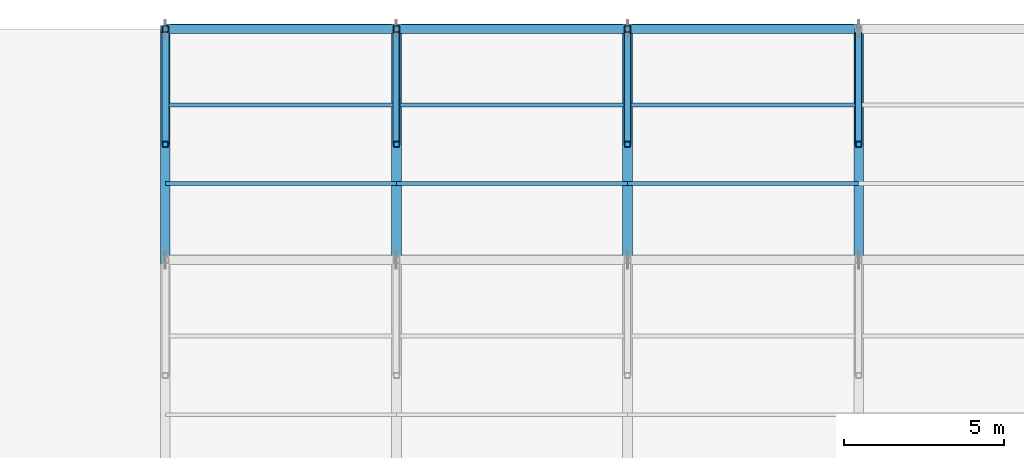
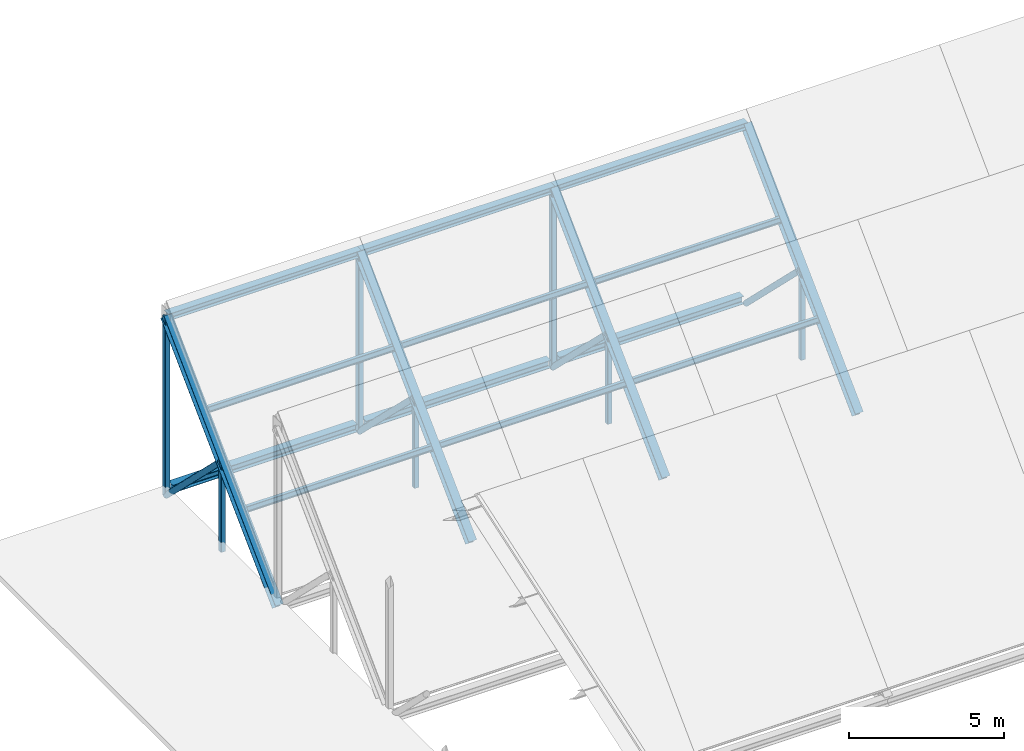
# One storey, part 3 of 7: 15 members, 12 beams.
"""IFC4 building model written with IfcOpenShell, lengths in metres."""

from ifc_helpers import new_model, si_unit, direction, frame, origin, origin_2d, place, context, subcontext, project, spatial, hollow_rectangle, hollow_circle, i_section, extrude, material, material_profile, profile_set, type_object, element, save


model = new_model("IFC4")

# Units and contexts
model_context = context("Model", 3, precision=1e-05, world=origin(), true_north=direction((0.0, 1.0)))
body_context = subcontext(model_context, "Body", "Model", "MODEL_VIEW")
ifc_project = project(units=[si_unit("LENGTHUNIT", "METRE"), si_unit("AREAUNIT", "SQUARE_METRE"), si_unit("VOLUMEUNIT", "CUBIC_METRE"), si_unit("PLANEANGLEUNIT", "RADIAN"), si_unit("MASSUNIT", "GRAM", prefix="KILO")], contexts=[model_context])

# Site, building, storey
site_placement = place(None, origin())
site = spatial("IfcSite", under=ifc_project, at=site_placement, CompositionType="ELEMENT")
building_placement = place(site_placement, origin())
building = spatial("IfcBuilding", under=site, at=building_placement, Name="Zlatovets Crest Museum", CompositionType="ELEMENT")
storey_placement = place(building_placement, frame((0.0, 0.0, 30.60009765625)))
storey = spatial("IfcBuildingStorey", under=building, at=storey_placement, Name="Roof", CompositionType="ELEMENT", Elevation=30.60009765625)

# Beams
ifc_material = material(Name="Structural steel S355J2", Category="steel")
ifc_material_profile_1 = material_profile(ifc_material, i_section(OverallWidth=0.300048828125, OverallDepth=0.31005859375, WebThickness=0.009033203125, FlangeThickness=0.015380859375, FilletRadius=0.027099609375, at=origin_2d()), Name="HEA 320")
ifc_profile_set_1 = profile_set([ifc_material_profile_1], Name="Structural steel S355J2")
beam_type_1 = type_object("IfcBeamType", Name="Beam_B-04", PredefinedType="BEAM", material=ifc_profile_set_1)
for number, where, z_axis, x_axis, name in (
    (1, (64.9599609375, 115.199951171875, -0.135009765625), (1.0, 0.0, 0.0), (0.0, 1.0, 0.0), "V1 Sawtooth Tooth 3 Valley / Clerestory Sill Girder"),
    (2, (72.159912109375, 115.199951171875, -0.135009765625), (1.0, 0.0, 0.0), (0.0, 1.0, 0.0), "V1 Sawtooth Tooth 3 Valley / Clerestory Sill Girder"),
):
    element("IfcBeam", number, at=place(storey_placement, frame(where, z_axis=z_axis, x_axis=x_axis)), inside=storey, type_object=beam_type_1, Name=name, PredefinedType="BEAM", context=body_context, shape_type="SweptSolid", body=[
        extrude(i_section(OverallWidth=0.300048828125, OverallDepth=0.31005859375, WebThickness=0.009033203125, FlangeThickness=0.015380859375, FilletRadius=0.027099609375, at=origin_2d()), origin(), (0.0, 0.0, 1.0), 6.880126953125),
    ])
beam_placement = place(storey_placement, frame((79.360107421875, 115.199951171875, -0.135009765625), z_axis=(1.0, 0.0, 0.0), x_axis=(0.0, 1.0, 0.0)))
element("IfcBeam", 3, at=beam_placement, inside=storey, type_object=beam_type_1, Name="V1 Sawtooth Tooth 3 Valley / Clerestory Sill Girder", PredefinedType="BEAM", context=body_context, shape_type="SweptSolid", body=[
    extrude(i_section(OverallWidth=0.300048828125, OverallDepth=0.31005859375, WebThickness=0.009033203125, FlangeThickness=0.015380859375, FilletRadius=0.027099609375, at=origin_2d()), origin(), (0.0, 0.0, 1.0), 6.8798828125),
])
ifc_material_profile_2 = material_profile(ifc_material, i_section(OverallWidth=0.280029296875, OverallDepth=0.27001953125, WebThickness=0.008056640625, FlangeThickness=0.012939453125, FilletRadius=0.02392578125, at=origin_2d()), Name="HEA 280")
ifc_profile_set_2 = profile_set([ifc_material_profile_2], Name="Structural steel S355J2")
beam_type_2 = type_object("IfcBeamType", Name="Beam_B-05", PredefinedType="BEAM", material=ifc_profile_set_2)
for number, where, z_axis, x_axis, name in (
    (4, (64.800048828125, 115.199951171875, 6.668701171875), (1.0, 0.0, 0.0), (0.0, 1.0, 0.0), "V1 Sawtooth Tooth 3 Ridge Girder"),
    (5, (72.0, 115.199951171875, 6.668701171875), (1.0, 0.0, 0.0), (0.0, 1.0, 0.0), "V1 Sawtooth Tooth 3 Ridge Girder"),
    (6, (79.199951171875, 115.199951171875, 6.668701171875), (1.0, 0.0, 0.0), (0.0, 1.0, 0.0), "V1 Sawtooth Tooth 3 Ridge Girder"),
):
    element("IfcBeam", number, at=place(storey_placement, frame(where, z_axis=z_axis, x_axis=x_axis)), inside=storey, type_object=beam_type_2, Name=name, PredefinedType="BEAM", context=body_context, shape_type="SweptSolid", body=[
        extrude(i_section(OverallWidth=0.280029296875, OverallDepth=0.27001953125, WebThickness=0.008056640625, FlangeThickness=0.012939453125, FilletRadius=0.02392578125, at=origin_2d()), origin(), (0.0, 0.0, 1.0), 7.199951171875),
    ])
ifc_material_profile_3 = material_profile(ifc_material, i_section(OverallWidth=0.1201171875, OverallDepth=0.239990234375, WebThickness=0.006103515625, FlangeThickness=0.009765625, FilletRadius=0.014892578125, at=origin_2d()), Name="IPE 240")
ifc_profile_set_3 = profile_set([ifc_material_profile_3], Name="Structural steel S355J2")
beam_type_3 = type_object("IfcBeamType", Name="Beam_PR-01", PredefinedType="BEAM", material=ifc_profile_set_3)
for number, where, z_axis, x_axis, name in (
    (7, (64.800048828125, 110.3759765625, 1.919921875), (1.0, 0.0, 0.0), (0.0, 1.0, 0.0), "V1 Sawtooth Tooth 3 Purlin PR-01"),
    (8, (64.800048828125, 112.823974609375, 4.367919921875), (1.0, 0.0, 0.0), (0.0, 1.0, 0.0), "V1 Sawtooth Tooth 3 Purlin PR-01"),
    (9, (72.0, 110.3759765625, 1.919921875), (1.0, 0.0, 0.0), (0.0, 1.0, 0.0), "V1 Sawtooth Tooth 3 Purlin PR-01"),
    (10, (72.0, 112.823974609375, 4.367919921875), (1.0, 0.0, 0.0), (0.0, 1.0, 0.0), "V1 Sawtooth Tooth 3 Purlin PR-01"),
    (11, (79.199951171875, 110.3759765625, 1.919921875), (1.0, 0.0, 0.0), (0.0, 1.0, 0.0), "V1 Sawtooth Tooth 3 Purlin PR-01"),
    (12, (79.199951171875, 112.823974609375, 4.367919921875), (1.0, 0.0, 0.0), (0.0, 1.0, 0.0), "V1 Sawtooth Tooth 3 Purlin PR-01"),
):
    element("IfcBeam", number, at=place(storey_placement, frame(where, z_axis=z_axis, x_axis=x_axis)), inside=storey, type_object=beam_type_3, Name=name, PredefinedType="BEAM", context=body_context, shape_type="SweptSolid", body=[
        extrude(i_section(OverallWidth=0.1201171875, OverallDepth=0.239990234375, WebThickness=0.006103515625, FlangeThickness=0.009765625, FilletRadius=0.014892578125, at=origin_2d()), origin(), (0.0, 0.0, 1.0), 7.199951171875),
    ])

# Members
ifc_material_profile_4 = material_profile(ifc_material, i_section(OverallWidth=0.300048828125, OverallDepth=0.31005859375, WebThickness=0.009033203125, FlangeThickness=0.015380859375, FilletRadius=0.027099609375, at=origin_2d()), Name="HEA 320")
ifc_profile_set_4 = profile_set([ifc_material_profile_4], Name="Structural steel S355J2")
member_type_1 = type_object("IfcMemberType", Name="Member_TM-02", PredefinedType="RAFTER", material=ifc_profile_set_4)
for number, where, z_axis, x_axis, name in (
    (13, (64.800048828125, 108.0, -0.400146484375), (0.0, 0.713573647199, 0.700580223831), (-1.0, 0.0, 0.0), "V1 Sawtooth Tooth 3 Rafter Chord"),
    (14, (72.0, 108.0, -0.400146484375), (0.0, 0.713573647199, 0.700580223831), (-1.0, 0.0, 0.0), "V1 Sawtooth Tooth 3 Rafter Chord"),
    (15, (79.199951171875, 108.0, -0.400146484375), (0.0, 0.713573647199, 0.700580223831), (-1.0, 0.0, 0.0), "V1 Sawtooth Tooth 3 Rafter Chord"),
    (16, (86.39990234375, 108.0, -0.400146484375), (0.0, 0.713573647199, 0.700580223831), (-1.0, 0.0, 0.0), "V1 Sawtooth Tooth 3 Rafter Chord"),
):
    element("IfcMember", number, at=place(storey_placement, frame(where, z_axis=z_axis, x_axis=x_axis)), inside=storey, type_object=member_type_1, Name=name, PredefinedType="RAFTER", context=body_context, shape_type="SweptSolid", body=[
        extrude(i_section(OverallWidth=0.300048828125, OverallDepth=0.31005859375, WebThickness=0.009033203125, FlangeThickness=0.015380859375, FilletRadius=0.027099609375, at=origin_2d()), origin(), (0.0, 0.0, 1.0), 10.090087890625),
    ])
ifc_material_profile_5 = material_profile(ifc_material, hollow_rectangle(XDim=0.199951171875, YDim=0.199951171875, WallThickness=0.012451171875, InnerFilletRadius=0.012451171875, OuterFilletRadius=0.02490234375, at=origin_2d()), Name="SHS 200x200x12.5")
ifc_profile_set_5 = profile_set([ifc_material_profile_5], Name="Structural steel S355J2")
member_type_2 = type_object("IfcMemberType", Name="Member_TM-03", PredefinedType="BRACE", material=ifc_profile_set_5)
for number, where, z_axis, x_axis, name in (
    (17, (64.800048828125, 115.199951171875, -0.400146484375), (0.0, 0.0, 1.0), (1.0, 0.0, 0.0), "V1 Sawtooth Tooth 3 North-Light Post"),
    (18, (72.0, 115.199951171875, -0.400146484375), (0.0, 0.0, 1.0), (1.0, 0.0, 0.0), "V1 Sawtooth Tooth 3 North-Light Post"),
    (19, (79.199951171875, 115.199951171875, -0.400146484375), (0.0, 0.0, 1.0), (1.0, 0.0, 0.0), "V1 Sawtooth Tooth 3 North-Light Post"),
):
    element("IfcMember", number, at=place(storey_placement, frame(where, z_axis=z_axis, x_axis=x_axis)), inside=storey, type_object=member_type_2, Name=name, PredefinedType="BRACE", context=body_context, shape_type="SweptSolid", body=[
        extrude(hollow_rectangle(XDim=0.199951171875, YDim=0.199951171875, WallThickness=0.012451171875, InnerFilletRadius=0.012451171875, OuterFilletRadius=0.02490234375, at=origin_2d()), origin(), (0.0, 0.0, 1.0), 7.06884765625),
    ])
ifc_material_profile_6 = material_profile(ifc_material, hollow_rectangle(XDim=0.179931640625, YDim=0.179931640625, WallThickness=0.010009765625, InnerFilletRadius=0.010009765625, OuterFilletRadius=0.02001953125, at=origin_2d()), Name="SHS 180x180x10.0")
ifc_profile_set_6 = profile_set([ifc_material_profile_6], Name="Structural steel S355J2")
member_type_3 = type_object("IfcMemberType", Name="Member_TM-04", PredefinedType="STRUT", material=ifc_profile_set_6)
for number, where, z_axis, x_axis, name in (
    (20, (64.800048828125, 111.60009765625, -0.400146484375), (0.0, 0.0, 1.0), (1.0, 0.0, 0.0), "V1 Sawtooth Tooth 3 Web Post"),
    (21, (72.0, 111.60009765625, -0.400146484375), (0.0, 0.0, 1.0), (1.0, 0.0, 0.0), "V1 Sawtooth Tooth 3 Web Post"),
    (22, (79.199951171875, 111.60009765625, -0.400146484375), (0.0, 0.0, 1.0), (1.0, 0.0, 0.0), "V1 Sawtooth Tooth 3 Web Post"),
    (23, (86.39990234375, 111.60009765625, -0.400146484375), (0.0, 0.0, 1.0), (1.0, 0.0, 0.0), "V1 Sawtooth Tooth 3 Web Post"),
):
    element("IfcMember", number, at=place(storey_placement, frame(where, z_axis=z_axis, x_axis=x_axis)), inside=storey, type_object=member_type_3, Name=name, PredefinedType="STRUT", context=body_context, shape_type="SweptSolid", body=[
        extrude(hollow_rectangle(XDim=0.179931640625, YDim=0.179931640625, WallThickness=0.010009765625, InnerFilletRadius=0.010009765625, OuterFilletRadius=0.02001953125, at=origin_2d()), origin(), (0.0, 0.0, 1.0), 3.53466796875),
    ])
ifc_material_profile_7 = material_profile(ifc_material, hollow_circle(Radius=0.109619140625, WallThickness=0.010009765625, at=origin_2d()), Name="CHS 219.1x10.0")
ifc_profile_set_7 = profile_set([ifc_material_profile_7], Name="Structural steel S355J2")
member_type_4 = type_object("IfcMemberType", Name="Member_TM-05", PredefinedType="BRACE", material=ifc_profile_set_7)
for number, where, z_axis, x_axis, name in (
    (24, (64.800048828125, 111.60009765625, 3.134521484375), (0.0, 0.71353757876, -0.700616959328), (-1.0, 0.0, 0.0), "V1 Sawtooth Tooth 3 Web Diagonal"),
    (25, (72.0, 111.60009765625, 3.134521484375), (0.0, 0.71353757876, -0.700616959328), (-1.0, 0.0, 0.0), "V1 Sawtooth Tooth 3 Web Diagonal"),
    (26, (79.199951171875, 111.60009765625, 3.134521484375), (0.0, 0.71353757876, -0.700616959328), (-1.0, 0.0, 0.0), "V1 Sawtooth Tooth 3 Web Diagonal"),
    (27, (86.39990234375, 111.60009765625, 3.134521484375), (0.0, 0.71353757876, -0.700616959328), (-1.0, 0.0, 0.0), "V1 Sawtooth Tooth 3 Web Diagonal"),
):
    element("IfcMember", number, at=place(storey_placement, frame(where, z_axis=z_axis, x_axis=x_axis)), inside=storey, type_object=member_type_4, Name=name, PredefinedType="BRACE", context=body_context, shape_type="SweptSolid", body=[
        extrude(hollow_circle(Radius=0.109619140625, WallThickness=0.010009765625, at=origin_2d()), origin(), (0.0, 0.0, 1.0), 5.045166015625),
    ])

save(model, "model.ifc")
